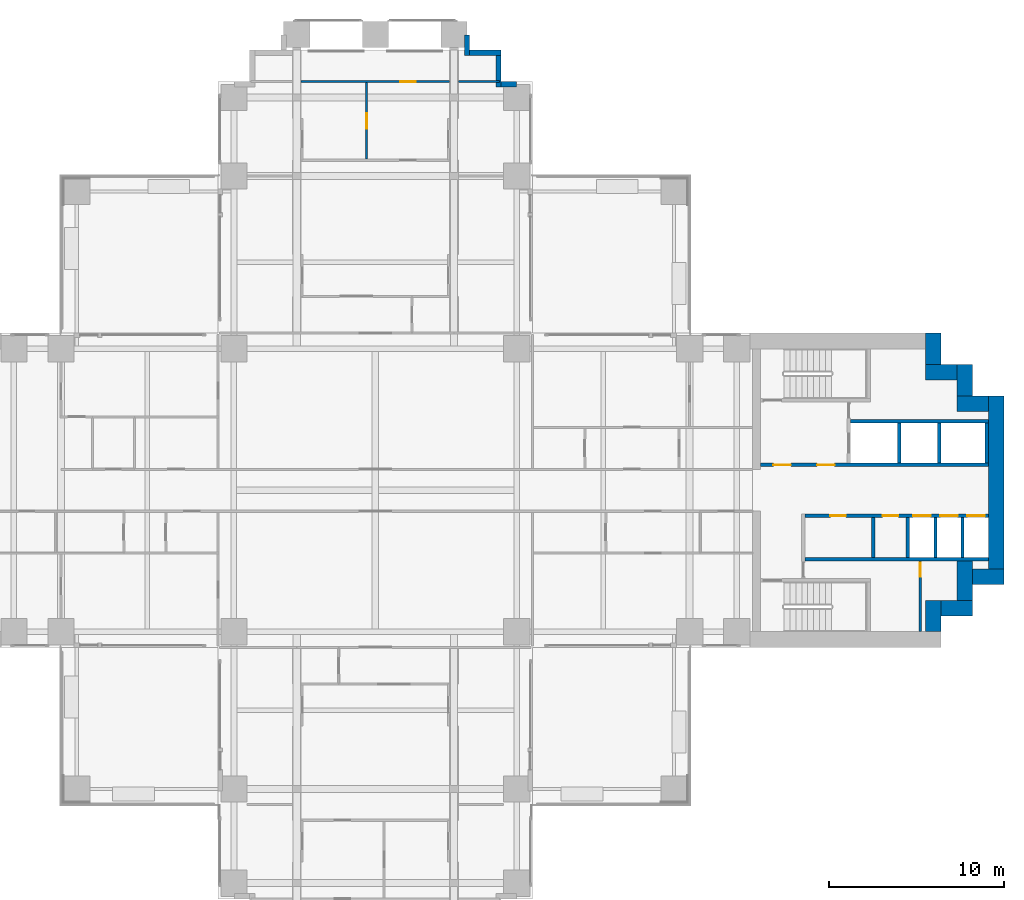
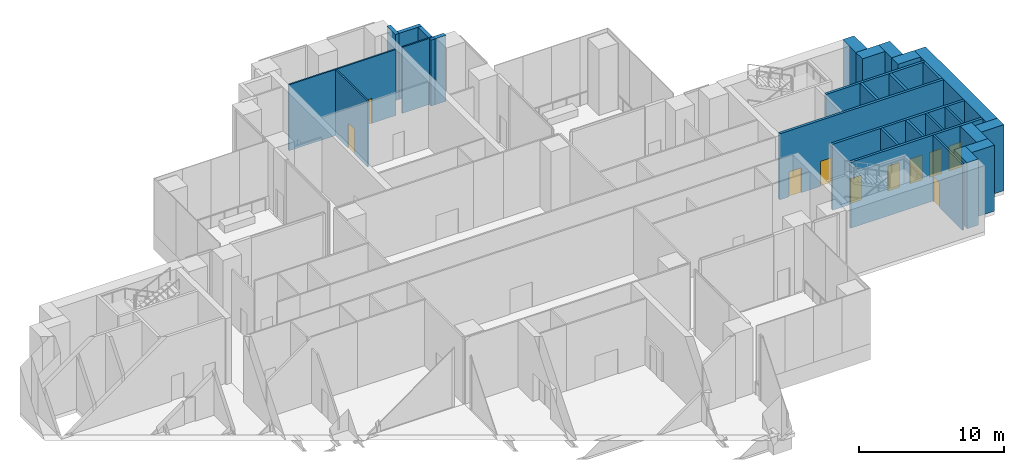
# One storey, part 12 of 17: 28 walls, 10 doors, 10 openings.
"""IFC4 building model written with IfcOpenShell, lengths in metres."""

from ifc_helpers import new_model, si_unit, direction, frame, frame_2d, origin, place, context, subcontext, project, spatial, rectangle, extrude, material, layer, layer_set, type_object, element, fill, save


model = new_model("IFC4")

# Units and contexts
model_context = context("Model", 3, precision=1e-05, world=origin(), true_north=direction((0.0, 1.0)))
body_context = subcontext(model_context, "Body", "Model", "MODEL_VIEW")
ifc_project = project(units=[si_unit("LENGTHUNIT", "METRE"), si_unit("AREAUNIT", "SQUARE_METRE"), si_unit("VOLUMEUNIT", "CUBIC_METRE"), si_unit("PLANEANGLEUNIT", "RADIAN"), si_unit("MASSUNIT", "GRAM", prefix="KILO")], contexts=[model_context])

# Site, building, storey
site_placement = place(None, origin())
site = spatial("IfcSite", under=ifc_project, at=site_placement, CompositionType="ELEMENT")
building_placement = place(site_placement, origin())
building = spatial("IfcBuilding", under=site, at=building_placement, Name="Perihelion Cross Residences", CompositionType="ELEMENT")
storey_placement = place(building_placement, frame((0.0, 0.0, 21.0)))
storey = spatial("IfcBuildingStorey", under=building, at=storey_placement, Name="L02", CompositionType="ELEMENT", Elevation=21.0)

# Walls
ifc_material_1 = material(Name="Concrete C30/37, bronze-clad", Category="concrete")
ifc_layer_1 = layer(ifc_material_1, 0.300048828125)
ifc_layer_set_1 = layer_set([ifc_layer_1], Name="Bronze-clad serration wall 300")
wall_type_1 = type_object("IfcWallType", Name="Bronze-clad serration wall 300", PredefinedType="SOLIDWALL", material=ifc_layer_set_1)
wall_1_placement = place(storey_placement, frame((8.080078125, 23.25, 0.0), z_axis=(0.0, 0.0, 1.0), x_axis=(-1.0, 0.0, 0.0)))
element("IfcWall", 1, at=wall_1_placement, inside=storey, type_object=wall_type_1, Name="Wall SR1 L02 north corner north-east 1", PredefinedType="SOLIDWALL", context=body_context, shape_type="SweptSolid", body=[
    extrude(rectangle(XDim=0.880126953125, YDim=0.300048828125, at=frame_2d((0.43994140625, 0.0))), origin(), (0.0, 0.0, 1.0), 5.550048828125),
])
wall_2_placement = place(storey_placement, frame((7.050048828125, 23.10009765625, 0.0), z_axis=(0.0, 0.0, 1.0), x_axis=(0.0, 1.0, 0.0)))
element("IfcWall", 2, at=wall_2_placement, inside=storey, type_object=wall_type_1, Name="Wall SR1 L02 north corner north-east 2", PredefinedType="SOLIDWALL", context=body_context, shape_type="SweptSolid", body=[
    extrude(rectangle(XDim=1.7998046875, YDim=0.300048828125, at=frame_2d((0.89990234375, 0.0))), origin(), (0.0, 0.0, 1.0), 5.550048828125),
])
wall_3_placement = place(storey_placement, frame((7.199951171875, 25.050048828125, 0.0), z_axis=(0.0, 0.0, 1.0), x_axis=(-1.0, 0.0, 0.0)))
element("IfcWall", 3, at=wall_3_placement, inside=storey, type_object=wall_type_1, Name="Wall SR1 L02 north corner north-east 3", PredefinedType="SOLIDWALL", context=body_context, shape_type="SweptSolid", body=[
    extrude(rectangle(XDim=1.800048828125, YDim=0.300048828125, at=frame_2d((0.89990234375, 0.0))), origin(), (0.0, 0.0, 1.0), 5.550048828125),
])
wall_4_placement = place(storey_placement, frame((5.25, 24.89990234375, 0.0), z_axis=(0.0, 0.0, 1.0), x_axis=(0.0, 1.0, 0.0)))
element("IfcWall", 4, at=wall_4_placement, inside=storey, type_object=wall_type_1, Name="Wall SR1 L02 north corner north-east 4", PredefinedType="SOLIDWALL", context=body_context, shape_type="SweptSolid", body=[
    extrude(rectangle(XDim=1.18017578125, YDim=0.300048828125, at=frame_2d((0.590087890625, 0.0))), origin(), (0.0, 0.0, 1.0), 5.550048828125),
])
ifc_material_2 = material(Name="Concrete C60/75", Category="concrete")
ifc_layer_2 = layer(ifc_material_2, 0.89990234375)
ifc_layer_set_2 = layer_set([ifc_layer_2], Name="Core wall, outer 900")
wall_type_2 = type_object("IfcWallType", Name="Core wall, outer 900", PredefinedType="SHEAR", material=ifc_layer_set_2)
for number, where, z_axis, x_axis, name in (
    (5, (31.949951171875, -8.10009765625, 0.0), (0.0, 0.0, 1.0), (0.0, 1.0, 0.0), "East core core wall, outer"),
    (6, (32.39990234375, -6.75, 0.0), (0.0, 0.0, 1.0), (1.0, 0.0, 0.0), "East core core wall, outer"),
):
    element("IfcWall", number, at=place(storey_placement, frame(where, z_axis=z_axis, x_axis=x_axis)), inside=storey, type_object=wall_type_2, Name=name, PredefinedType="SHEAR", context=body_context, shape_type="SweptSolid", body=[
        extrude(rectangle(XDim=1.800048828125, YDim=0.89990234375, at=frame_2d((0.89990234375, 0.0))), origin(), (0.0, 0.0, 1.0), 5.550048828125),
    ])
wall_5_placement = place(storey_placement, frame((33.75, -6.300048828125, 0.0), z_axis=(0.0, 0.0, 1.0), x_axis=(0.0, 1.0, 0.0)))
element("IfcWall", 7, at=wall_5_placement, inside=storey, type_object=wall_type_2, Name="East core core wall, outer", PredefinedType="SHEAR", context=body_context, shape_type="SweptSolid", body=[
    extrude(rectangle(XDim=2.25, YDim=0.89990234375, at=frame_2d((1.125, 0.0))), origin(), (0.0, 0.0, 1.0), 5.550048828125),
])
wall_6_placement = place(storey_placement, frame((34.199951171875, -4.949951171875, 0.0), z_axis=(0.0, 0.0, 1.0), x_axis=(1.0, 0.0, 0.0)))
element("IfcWall", 8, at=wall_6_placement, inside=storey, type_object=wall_type_2, Name="East core core wall, outer", PredefinedType="SHEAR", context=body_context, shape_type="SweptSolid", body=[
    extrude(rectangle(XDim=1.800048828125, YDim=0.89990234375, at=frame_2d((0.89990234375, 0.0))), origin(), (0.0, 0.0, 1.0), 5.550048828125),
])
wall_7_placement = place(storey_placement, frame((35.550048828125, -4.5, 0.0), z_axis=(0.0, 0.0, 1.0), x_axis=(0.0, 1.0, 0.0)))
element("IfcWall", 9, at=wall_7_placement, inside=storey, type_object=wall_type_2, Name="East core core wall, outer", PredefinedType="SHEAR", context=body_context, shape_type="SweptSolid", body=[
    extrude(rectangle(XDim=9.89990234375, YDim=0.89990234375, at=frame_2d((4.949951171875, 0.0))), origin(), (0.0, 0.0, 1.0), 5.550048828125),
])
for number, where, z_axis, x_axis, name in (
    (10, (33.300048828125, 4.949951171875, 0.0), (0.0, 0.0, 1.0), (1.0, 0.0, 0.0), "East core core wall, outer"),
    (11, (33.75, 5.39990234375, 0.0), (0.0, 0.0, 1.0), (0.0, 1.0, 0.0), "East core core wall, outer"),
    (12, (31.5, 6.75, 0.0), (0.0, 0.0, 1.0), (1.0, 0.0, 0.0), "East core core wall, outer"),
    (13, (31.949951171875, 7.199951171875, 0.0), (0.0, 0.0, 1.0), (0.0, 1.0, 0.0), "East core core wall, outer"),
):
    element("IfcWall", number, at=place(storey_placement, frame(where, z_axis=z_axis, x_axis=x_axis)), inside=storey, type_object=wall_type_2, Name=name, PredefinedType="SHEAR", context=body_context, shape_type="SweptSolid", body=[
        extrude(rectangle(XDim=1.800048828125, YDim=0.89990234375, at=frame_2d((0.89990234375, 0.0))), origin(), (0.0, 0.0, 1.0), 5.550048828125),
    ])

# Wall, opening, door
ifc_material_3 = material(Name="Plasterboard partition")
ifc_layer_3 = layer(ifc_material_3, 0.1201171875)
ifc_layer_set_3 = layer_set([ifc_layer_3], Name="Partition wall 120")
wall_type_3 = type_object("IfcWallType", Name="Partition wall 120", PredefinedType="PARTITIONING", material=ifc_layer_set_3)
wall_8_placement = place(storey_placement, frame((-0.5, 18.9599609375, 0.0), z_axis=(0.0, 0.0, 1.0), x_axis=(0.0, 1.0, 0.0)))
wall_8 = element("IfcWall", 14, at=wall_8_placement, inside=storey, type_object=wall_type_3, Name="Partition L02 W041", PredefinedType="PARTITIONING", context=body_context, shape_type="SweptSolid", body=[
    extrude(rectangle(XDim=4.380126953125, YDim=0.1201171875, at=frame_2d((2.18994140625, 0.0))), origin(), (0.0, 0.0, 1.0), 5.550048828125),
])
opening_1_placement = place(wall_8_placement, frame((1.739990234375, 0.0, 0.0)))
opening_1 = element("IfcOpeningElement", 15, at=opening_1_placement, cuts=wall_8, Name="Opening L02.A27", PredefinedType="OPENING", context=body_context, shape_type="SweptSolid", body=[
    extrude(rectangle(XDim=0.89990234375, YDim=2.10009765625, at=frame_2d((0.449951171875, 1.050048828125))), frame((0.0, 0.070068359375, 0.0), z_axis=(0.0, -1.0, 0.0), x_axis=(1.0, 0.0, 0.0)), (0.0, 0.0, 1.0), 0.14013671875),
])
ifc_material_4 = material(Name="Timber door leaf", Category="wood")
door_type_1 = type_object("IfcDoorType", Name="Interior room door 900 x 2100", OperationType="SINGLE_SWING_LEFT", PredefinedType="DOOR", material=ifc_material_4)
door_1_placement = place(opening_1_placement, origin())
door_1 = element("IfcDoor", 16, at=door_1_placement, inside=storey, type_object=door_type_1, Name="Door L02.A27", OperationType="SINGLE_SWING_LEFT", OverallHeight=2.10009765625, OverallWidth=0.89990234375, PredefinedType="DOOR", context=body_context, shape_type="SweptSolid", body=[
    extrude(rectangle(XDim=0.89990234375, YDim=2.10009765625, at=frame_2d((0.449951171875, 1.050048828125))), frame((0.0, 0.02490234375, 0.0), z_axis=(0.0, -1.0, 0.0), x_axis=(1.0, 0.0, 0.0)), (0.0, 0.0, 1.0), 0.050048828125),
])
fill(opening_1, door_1)

wall_9_placement = place(storey_placement, frame((-4.25, 23.39990234375, 0.0), z_axis=(0.0, 0.0, 1.0), x_axis=(1.0, 0.0, 0.0)))
wall_9 = element("IfcWall", 17, at=wall_9_placement, inside=storey, type_object=wall_type_3, Name="Partition L02 W042", PredefinedType="PARTITIONING", context=body_context, shape_type="SweptSolid", body=[
    extrude(rectangle(XDim=8.5, YDim=0.1201171875, at=frame_2d((4.25, 0.0))), origin(), (0.0, 0.0, 1.0), 5.550048828125),
])
opening_2_placement = place(wall_9_placement, frame((5.675048828125, 0.0, 0.0)))
opening_2 = element("IfcOpeningElement", 18, at=opening_2_placement, cuts=wall_9, Name="Opening L02.A28", PredefinedType="OPENING", context=body_context, shape_type="SweptSolid", body=[
    extrude(rectangle(XDim=0.89990234375, YDim=2.10009765625, at=frame_2d((0.449951171875, 1.050048828125))), frame((0.0, 0.070068359375, 0.0), z_axis=(0.0, -1.0, 0.0), x_axis=(1.0, 0.0, 0.0)), (0.0, 0.0, 1.0), 0.14013671875),
])
door_2_placement = place(opening_2_placement, origin())
door_2 = element("IfcDoor", 19, at=door_2_placement, inside=storey, type_object=door_type_1, Name="Door L02.A28", OperationType="SINGLE_SWING_RIGHT", OverallHeight=2.10009765625, OverallWidth=0.89990234375, PredefinedType="DOOR", context=body_context, shape_type="SweptSolid", body=[
    extrude(rectangle(XDim=0.89990234375, YDim=2.10009765625, at=frame_2d((0.449951171875, 1.050048828125))), frame((0.0, 0.02490234375, 0.0), z_axis=(0.0, -1.0, 0.0), x_axis=(1.0, 0.0, 0.0)), (0.0, 0.0, 1.0), 0.050048828125),
])
fill(opening_2, door_2)

# Wall
wall_10_placement = place(storey_placement, frame((4.75, 23.39990234375, 0.0), z_axis=(0.0, 0.0, 1.0), x_axis=(1.0, 0.0, 0.0)))
element("IfcWall", 20, at=wall_10_placement, inside=storey, type_object=wall_type_3, Name="Partition L02 W044", PredefinedType="PARTITIONING", context=body_context, shape_type="SweptSolid", body=[
    extrude(rectangle(XDim=2.3701171875, YDim=0.1201171875, at=frame_2d((1.18505859375, 0.0))), origin(), (0.0, 0.0, 1.0), 5.550048828125),
])

# Wall, opening, door
ifc_material_5 = material(Name="Fire-rated board on steel stud", Category="steel")
ifc_layer_4 = layer(ifc_material_5, 0.14990234375)
ifc_layer_set_4 = layer_set([ifc_layer_4], Name="Riser wall 150")
wall_type_4 = type_object("IfcWallType", Name="Riser wall 150", PredefinedType="PARTITIONING", material=ifc_layer_set_4)
wall_11_placement = place(storey_placement, frame((31.199951171875, -8.10009765625, 0.0), z_axis=(0.0, 0.0, 1.0), x_axis=(0.0, 1.0, 0.0)))
wall_11 = element("IfcWall", 21, at=wall_11_placement, inside=storey, type_object=wall_type_4, Name="East core riser wall", PredefinedType="PARTITIONING", context=body_context, shape_type="SweptSolid", body=[
    extrude(rectangle(XDim=4.050048828125, YDim=0.14990234375, at=frame_2d((2.02490234375, 0.0))), origin(), (0.0, 0.0, 1.0), 5.550048828125),
])
opening_3_placement = place(wall_11_placement, frame((3.14990234375, 0.0, 0.0)))
opening_3 = element("IfcOpeningElement", 22, at=opening_3_placement, cuts=wall_11, Name="Opening L02.C13", PredefinedType="OPENING", context=body_context, shape_type="SweptSolid", body=[
    extrude(rectangle(XDim=0.800048828125, YDim=2.10009765625, at=frame_2d((0.39990234375, 1.050048828125))), frame((0.0, 0.0849609375, 0.0), z_axis=(0.0, -1.0, 0.0), x_axis=(1.0, 0.0, 0.0)), (0.0, 0.0, 1.0), 0.169921875),
])
ifc_material_6 = material(Name="Steel, powder coated", Category="steel")
door_type_2 = type_object("IfcDoorType", Name="Riser door 800", OperationType="SINGLE_SWING_LEFT", PredefinedType="DOOR", material=ifc_material_6)
door_3_placement = place(opening_3_placement, origin())
door_3 = element("IfcDoor", 23, at=door_3_placement, inside=storey, type_object=door_type_2, Name="East core riser door", OperationType="SINGLE_SWING_LEFT", OverallHeight=2.10009765625, OverallWidth=0.800048828125, PredefinedType="DOOR", context=body_context, shape_type="SweptSolid", body=[
    extrude(rectangle(XDim=0.800048828125, YDim=2.10009765625, at=frame_2d((0.39990234375, 1.050048828125))), frame((0.0, 0.02490234375, 0.0), z_axis=(0.0, -1.0, 0.0), x_axis=(1.0, 0.0, 0.0)), (0.0, 0.0, 1.0), 0.050048828125),
])
fill(opening_3, door_3)

# Walls
ifc_material_7 = material(Name="Fire-rated board on steel stud", Category="steel")
ifc_layer_5 = layer(ifc_material_7, 0.199951171875)
ifc_layer_set_5 = layer_set([ifc_layer_5], Name="Riser wall 200")
wall_type_5 = type_object("IfcWallType", Name="Riser wall 200", PredefinedType="PARTITIONING", material=ifc_layer_set_5)
wall_12_placement = place(storey_placement, frame((28.5, -3.85009765625, 0.0), z_axis=(0.0, 0.0, 1.0), x_axis=(0.0, 1.0, 0.0)))
element("IfcWall", 24, at=wall_12_placement, inside=storey, type_object=wall_type_5, Name="East core riser wall", PredefinedType="PARTITIONING", context=body_context, shape_type="SweptSolid", body=[
    extrude(rectangle(XDim=2.300048828125, YDim=0.199951171875, at=frame_2d((1.14990234375, 0.0))), origin(), (0.0, 0.0, 1.0), 5.550048828125),
])
ifc_material_8 = material(Name="Concrete C50/60", Category="concrete")
ifc_layer_6 = layer(ifc_material_8, 0.14990234375)
ifc_layer_set_6 = layer_set([ifc_layer_6], Name="Shaft wall 150")
wall_type_6 = type_object("IfcWallType", Name="Shaft wall 150", PredefinedType="SOLIDWALL", material=ifc_layer_set_6)
for number, where, z_axis, x_axis, name in (
    (25, (32.074951171875, -3.85009765625, 0.0), (0.0, 0.0, 1.0), (0.0, 1.0, 0.0), "East core shaft wall"),
    (26, (33.625, -3.85009765625, 0.0), (0.0, 0.0, 1.0), (0.0, 1.0, 0.0), "East core shaft wall"),
):
    element("IfcWall", number, at=place(storey_placement, frame(where, z_axis=z_axis, x_axis=x_axis)), inside=storey, type_object=wall_type_6, Name=name, PredefinedType="SOLIDWALL", context=body_context, shape_type="SweptSolid", body=[
        extrude(rectangle(XDim=2.300048828125, YDim=0.14990234375, at=frame_2d((1.14990234375, 0.0))), origin(), (0.0, 0.0, 1.0), 5.550048828125),
    ])

# Wall, openings, doors
ifc_material_9 = material(Name="Concrete C50/60", Category="concrete")
ifc_layer_7 = layer(ifc_material_9, 0.199951171875)
ifc_layer_set_7 = layer_set([ifc_layer_7], Name="Shaft wall 200")
wall_type_7 = type_object("IfcWallType", Name="Shaft wall 200", PredefinedType="SOLIDWALL", material=ifc_layer_set_7)
wall_13_placement = place(storey_placement, frame((22.050048828125, 1.449951171875, 0.0), z_axis=(0.0, 0.0, 1.0), x_axis=(1.0, 0.0, 0.0)))
wall_13 = element("IfcWall", 27, at=wall_13_placement, inside=storey, type_object=wall_type_7, Name="East core shaft wall", PredefinedType="SOLIDWALL", context=body_context, shape_type="SweptSolid", body=[
    extrude(rectangle(XDim=13.050048828125, YDim=0.199951171875, at=frame_2d((6.52490234375, 0.0))), origin(), (0.0, 0.0, 1.0), 5.550048828125),
])
opening_4_placement = place(wall_13_placement, frame((0.75, 0.0, 0.0)))
opening_4 = element("IfcOpeningElement", 28, at=opening_4_placement, cuts=wall_13, Name="Opening L02.C07", PredefinedType="OPENING", context=body_context, shape_type="SweptSolid", body=[
    extrude(rectangle(XDim=1.0, YDim=2.10009765625, at=frame_2d((0.5, 1.050048828125))), frame((0.0, 0.10986328125, 0.0), z_axis=(0.0, -1.0, 0.0), x_axis=(1.0, 0.0, 0.0)), (0.0, 0.0, 1.0), 0.219970703125),
])
opening_5_placement = place(wall_13_placement, frame((3.25, 0.0, 0.0)))
opening_5 = element("IfcOpeningElement", 29, at=opening_5_placement, cuts=wall_13, Name="Opening L02.C09", PredefinedType="OPENING", context=body_context, shape_type="SweptSolid", body=[
    extrude(rectangle(XDim=1.0, YDim=2.10009765625, at=frame_2d((0.5, 1.050048828125))), frame((0.0, 0.10986328125, 0.0), z_axis=(0.0, -1.0, 0.0), x_axis=(1.0, 0.0, 0.0)), (0.0, 0.0, 1.0), 0.219970703125),
])
ifc_material_10 = material(Name="Steel, powder coated", Category="steel")
door_type_3 = type_object("IfcDoorType", Name="Lobby door 1000", OperationType="SINGLE_SWING_LEFT", PredefinedType="DOOR", material=ifc_material_10)
door_4_placement = place(opening_4_placement, origin())
door_4 = element("IfcDoor", 30, at=door_4_placement, inside=storey, type_object=door_type_3, Name="East core firefighting lobby door", OperationType="SINGLE_SWING_LEFT", OverallHeight=2.10009765625, OverallWidth=1.0, PredefinedType="DOOR", context=body_context, shape_type="SweptSolid", body=[
    extrude(rectangle(XDim=1.0, YDim=2.10009765625, at=frame_2d((0.5, 1.050048828125))), frame((0.0, 0.02490234375, 0.0), z_axis=(0.0, -1.0, 0.0), x_axis=(1.0, 0.0, 0.0)), (0.0, 0.0, 1.0), 0.050048828125),
])
fill(opening_4, door_4)
door_5_placement = place(opening_5_placement, origin())
door_5 = element("IfcDoor", 31, at=door_5_placement, inside=storey, type_object=door_type_3, Name="East core firefighting lobby door", OperationType="SINGLE_SWING_LEFT", OverallHeight=2.10009765625, OverallWidth=1.0, PredefinedType="DOOR", context=body_context, shape_type="SweptSolid", body=[
    extrude(rectangle(XDim=1.0, YDim=2.10009765625, at=frame_2d((0.5, 1.050048828125))), frame((0.0, 0.02490234375, 0.0), z_axis=(0.0, -1.0, 0.0), x_axis=(1.0, 0.0, 0.0)), (0.0, 0.0, 1.0), 0.050048828125),
])
fill(opening_5, door_5)

wall_14_placement = place(storey_placement, frame((24.60009765625, -1.449951171875, 0.0), z_axis=(0.0, 0.0, 1.0), x_axis=(1.0, 0.0, 0.0)))
wall_14 = element("IfcWall", 32, at=wall_14_placement, inside=storey, type_object=wall_type_7, Name="East core shaft wall", PredefinedType="SOLIDWALL", context=body_context, shape_type="SweptSolid", body=[
    extrude(rectangle(XDim=10.5, YDim=0.199951171875, at=frame_2d((5.25, 0.0))), origin(), (0.0, 0.0, 1.0), 5.550048828125),
])
opening_6_placement = place(wall_14_placement, frame((6.199951171875, 0.0, 0.0)))
opening_6 = element("IfcOpeningElement", 33, at=opening_6_placement, cuts=wall_14, Name="Opening L02.C02", PredefinedType="OPENING", context=body_context, shape_type="SweptSolid", body=[
    extrude(rectangle(XDim=1.0, YDim=2.10009765625, at=frame_2d((0.5, 1.050048828125))), frame((0.0, 0.10986328125, 0.0), z_axis=(0.0, -1.0, 0.0), x_axis=(1.0, 0.0, 0.0)), (0.0, 0.0, 1.0), 0.219970703125),
])
opening_7_placement = place(wall_14_placement, frame((7.75, 0.0, 0.0)))
opening_7 = element("IfcOpeningElement", 34, at=opening_7_placement, cuts=wall_14, Name="Opening L02.C03", PredefinedType="OPENING", context=body_context, shape_type="SweptSolid", body=[
    extrude(rectangle(XDim=1.0, YDim=2.10009765625, at=frame_2d((0.5, 1.050048828125))), frame((0.0, 0.10986328125, 0.0), z_axis=(0.0, -1.0, 0.0), x_axis=(1.0, 0.0, 0.0)), (0.0, 0.0, 1.0), 0.219970703125),
])
opening_8_placement = place(wall_14_placement, frame((9.300048828125, 0.0, 0.0)))
opening_8 = element("IfcOpeningElement", 35, at=opening_8_placement, cuts=wall_14, Name="Opening L02.C04", PredefinedType="OPENING", context=body_context, shape_type="SweptSolid", body=[
    extrude(rectangle(XDim=1.0, YDim=2.10009765625, at=frame_2d((0.5, 1.050048828125))), frame((0.0, 0.10986328125, 0.0), z_axis=(0.0, -1.0, 0.0), x_axis=(1.0, 0.0, 0.0)), (0.0, 0.0, 1.0), 0.219970703125),
])
opening_9_placement = place(wall_14_placement, frame((1.449951171875, 0.0, 0.0)))
opening_9 = element("IfcOpeningElement", 36, at=opening_9_placement, cuts=wall_14, Name="Opening L02.C10", PredefinedType="OPENING", context=body_context, shape_type="SweptSolid", body=[
    extrude(rectangle(XDim=0.89990234375, YDim=2.10009765625, at=frame_2d((0.449951171875, 1.050048828125))), frame((0.0, 0.10986328125, 0.0), z_axis=(0.0, -1.0, 0.0), x_axis=(1.0, 0.0, 0.0)), (0.0, 0.0, 1.0), 0.219970703125),
])
opening_10_placement = place(wall_14_placement, frame((4.449951171875, 0.0, 0.0)))
opening_10 = element("IfcOpeningElement", 37, at=opening_10_placement, cuts=wall_14, Name="Opening L02.C12", PredefinedType="OPENING", context=body_context, shape_type="SweptSolid", body=[
    extrude(rectangle(XDim=0.89990234375, YDim=2.10009765625, at=frame_2d((0.449951171875, 1.050048828125))), frame((0.0, 0.10986328125, 0.0), z_axis=(0.0, -1.0, 0.0), x_axis=(1.0, 0.0, 0.0)), (0.0, 0.0, 1.0), 0.219970703125),
])
ifc_material_11 = material(Name="Stainless steel", Category="steel")
door_type_4 = type_object("IfcDoorType", Name="Landing door 1000", OperationType="DOUBLE_DOOR_SLIDING", PredefinedType="DOOR", material=ifc_material_11)
door_6_placement = place(opening_6_placement, origin())
door_6 = element("IfcDoor", 38, at=door_6_placement, inside=storey, type_object=door_type_4, Name="Landing door, East core low-rise lift 1", OperationType="DOUBLE_DOOR_SLIDING", OverallHeight=2.10009765625, OverallWidth=1.0, PredefinedType="DOOR", context=body_context, shape_type="SweptSolid", body=[
    extrude(rectangle(XDim=1.0, YDim=2.10009765625, at=frame_2d((0.5, 1.050048828125))), frame((0.0, 0.02490234375, 0.0), z_axis=(0.0, -1.0, 0.0), x_axis=(1.0, 0.0, 0.0)), (0.0, 0.0, 1.0), 0.050048828125),
])
fill(opening_6, door_6)
door_7_placement = place(opening_7_placement, origin())
door_7 = element("IfcDoor", 39, at=door_7_placement, inside=storey, type_object=door_type_4, Name="Landing door, East core low-rise lift 2", OperationType="DOUBLE_DOOR_SLIDING", OverallHeight=2.10009765625, OverallWidth=1.0, PredefinedType="DOOR", context=body_context, shape_type="SweptSolid", body=[
    extrude(rectangle(XDim=1.0, YDim=2.10009765625, at=frame_2d((0.5, 1.050048828125))), frame((0.0, 0.02490234375, 0.0), z_axis=(0.0, -1.0, 0.0), x_axis=(1.0, 0.0, 0.0)), (0.0, 0.0, 1.0), 0.050048828125),
])
fill(opening_7, door_7)
door_8_placement = place(opening_8_placement, origin())
door_8 = element("IfcDoor", 40, at=door_8_placement, inside=storey, type_object=door_type_4, Name="Landing door, East core low-rise lift 3", OperationType="DOUBLE_DOOR_SLIDING", OverallHeight=2.10009765625, OverallWidth=1.0, PredefinedType="DOOR", context=body_context, shape_type="SweptSolid", body=[
    extrude(rectangle(XDim=1.0, YDim=2.10009765625, at=frame_2d((0.5, 1.050048828125))), frame((0.0, 0.02490234375, 0.0), z_axis=(0.0, -1.0, 0.0), x_axis=(1.0, 0.0, 0.0)), (0.0, 0.0, 1.0), 0.050048828125),
])
fill(opening_8, door_8)
ifc_material_12 = material(Name="Steel, powder coated", Category="steel")
door_type_5 = type_object("IfcDoorType", Name="Service room door 900", OperationType="SINGLE_SWING_LEFT", PredefinedType="DOOR", material=ifc_material_12)
door_9_placement = place(opening_9_placement, origin())
door_9 = element("IfcDoor", 41, at=door_9_placement, inside=storey, type_object=door_type_5, Name="East core service room door", OperationType="SINGLE_SWING_LEFT", OverallHeight=2.10009765625, OverallWidth=0.89990234375, PredefinedType="DOOR", context=body_context, shape_type="SweptSolid", body=[
    extrude(rectangle(XDim=0.89990234375, YDim=2.10009765625, at=frame_2d((0.449951171875, 1.050048828125))), frame((0.0, 0.02490234375, 0.0), z_axis=(0.0, -1.0, 0.0), x_axis=(1.0, 0.0, 0.0)), (0.0, 0.0, 1.0), 0.050048828125),
])
fill(opening_9, door_9)
door_10_placement = place(opening_10_placement, origin())
door_10 = element("IfcDoor", 42, at=door_10_placement, inside=storey, type_object=door_type_5, Name="East core service room door", OperationType="SINGLE_SWING_LEFT", OverallHeight=2.10009765625, OverallWidth=0.89990234375, PredefinedType="DOOR", context=body_context, shape_type="SweptSolid", body=[
    extrude(rectangle(XDim=0.89990234375, YDim=2.10009765625, at=frame_2d((0.449951171875, 1.050048828125))), frame((0.0, 0.02490234375, 0.0), z_axis=(0.0, -1.0, 0.0), x_axis=(1.0, 0.0, 0.0)), (0.0, 0.0, 1.0), 0.050048828125),
])
fill(opening_10, door_10)

# Walls
wall_15_placement = place(storey_placement, frame((27.199951171875, 3.949951171875, 0.0), z_axis=(0.0, 0.0, 1.0), x_axis=(1.0, 0.0, 0.0)))
element("IfcWall", 43, at=wall_15_placement, inside=storey, type_object=wall_type_7, Name="East core shaft wall", PredefinedType="SOLIDWALL", context=body_context, shape_type="SweptSolid", body=[
    extrude(rectangle(XDim=7.900146484375, YDim=0.199951171875, at=frame_2d((3.9501953125, 0.0))), origin(), (0.0, 0.0, 1.0), 5.550048828125),
])
wall_16_placement = place(storey_placement, frame((24.60009765625, -3.949951171875, 0.0), z_axis=(0.0, 0.0, 1.0), x_axis=(1.0, 0.0, 0.0)))
element("IfcWall", 44, at=wall_16_placement, inside=storey, type_object=wall_type_7, Name="East core shaft wall", PredefinedType="SOLIDWALL", context=body_context, shape_type="SweptSolid", body=[
    extrude(rectangle(XDim=10.5, YDim=0.199951171875, at=frame_2d((5.25, 0.0))), origin(), (0.0, 0.0, 1.0), 5.550048828125),
])
for number, where, z_axis, x_axis, name in (
    (45, (30.0, 1.550048828125, 0.0), (0.0, 0.0, 1.0), (0.0, 1.0, 0.0), "East core shaft wall"),
    (46, (32.300048828125, 1.550048828125, 0.0), (0.0, 0.0, 1.0), (0.0, 1.0, 0.0), "East core shaft wall"),
    (47, (35.0, 1.550048828125, 0.0), (0.0, 0.0, 1.0), (0.0, 1.0, 0.0), "East core shaft wall"),
    (48, (30.5, -3.85009765625, 0.0), (0.0, 0.0, 1.0), (0.0, 1.0, 0.0), "East core shaft wall"),
):
    element("IfcWall", number, at=place(storey_placement, frame(where, z_axis=z_axis, x_axis=x_axis)), inside=storey, type_object=wall_type_7, Name=name, PredefinedType="SOLIDWALL", context=body_context, shape_type="SweptSolid", body=[
        extrude(rectangle(XDim=2.300048828125, YDim=0.199951171875, at=frame_2d((1.14990234375, 0.0))), origin(), (0.0, 0.0, 1.0), 5.550048828125),
    ])

save(model, "model.ifc")
